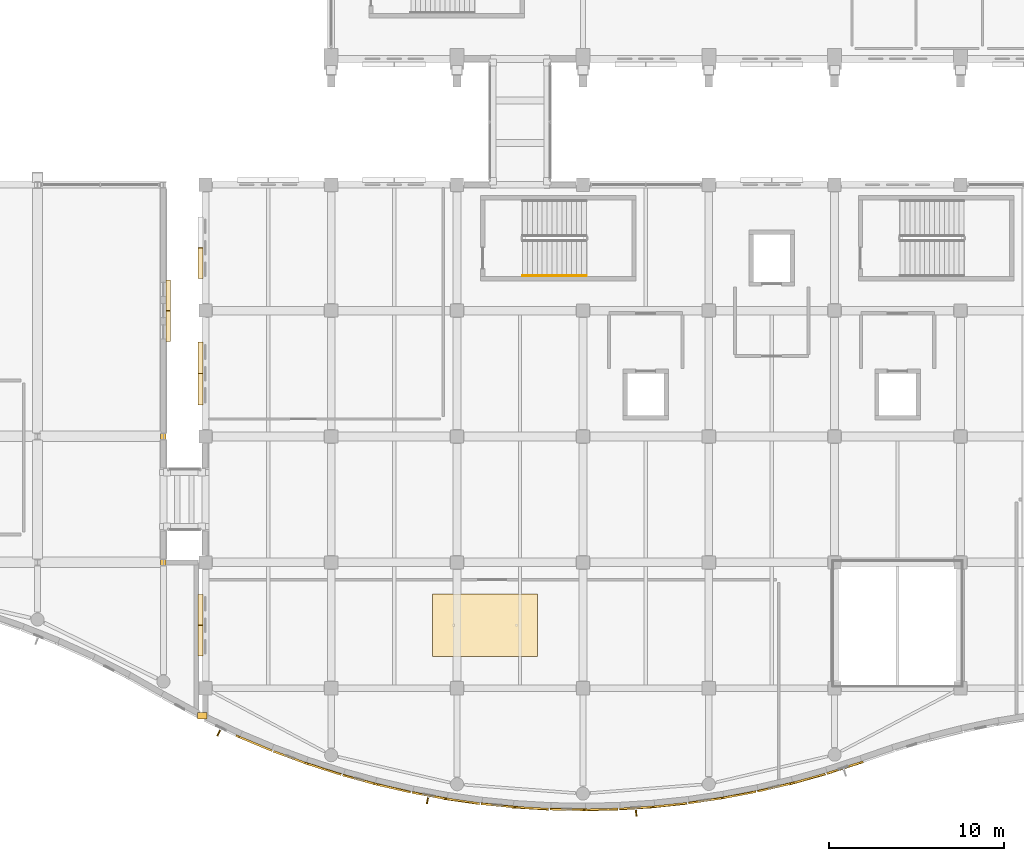
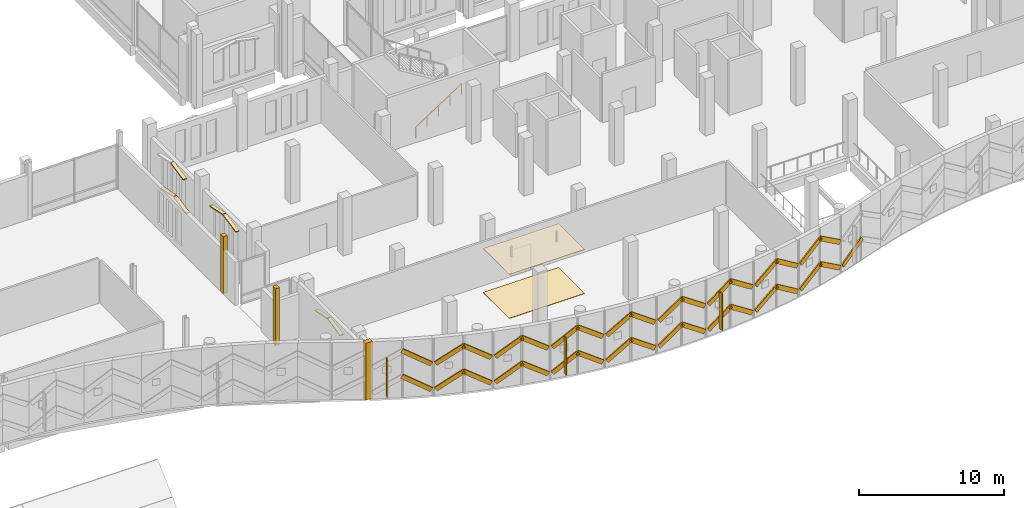
# One storey, part 180 of 193: 47 coverings, 3 shading devices, 1 railing.
"""IFC4 building model written with IfcOpenShell, lengths in metres."""

from ifc_helpers import new_model, si_unit, direction, frame, origin, origin_2d, place, context, subcontext, project, spatial, polyline, rectangle, circle, outline, extrude, material, layer, layer_set, type_object, element, save


model = new_model("IFC4")

# Units and contexts
model_context = context("Model", 3, precision=1e-05, world=origin(), true_north=direction((0.0, 1.0)))
body_context = subcontext(model_context, "Body", "Model", "MODEL_VIEW")
ifc_project = project(units=[si_unit("LENGTHUNIT", "METRE"), si_unit("AREAUNIT", "SQUARE_METRE"), si_unit("VOLUMEUNIT", "CUBIC_METRE"), si_unit("PLANEANGLEUNIT", "RADIAN"), si_unit("MASSUNIT", "GRAM", prefix="KILO")], contexts=[model_context])

# Site, building, storey
site_placement = place(None, origin())
site = spatial("IfcSite", under=ifc_project, at=site_placement, CompositionType="ELEMENT")
building_placement = place(site_placement, origin())
building = spatial("IfcBuilding", under=site, at=building_placement, Name="Cendralis Lancet Convention Centre", CompositionType="ELEMENT")
storey_placement = place(building_placement, frame((0.0, 0.0, 10.199951171875)))
storey = spatial("IfcBuildingStorey", under=building, at=storey_placement, Name="L02", CompositionType="ELEMENT", Elevation=10.199951171875)

# Coverings
ifc_material_1 = material(Name="Warm buff sandstone chevron cassette", Category="masonry")
ifc_layer_1 = layer(ifc_material_1, 0.06005859375, Name="Warm buff sandstone chevron cassette")
ifc_layer_set_1 = layer_set([ifc_layer_1], Name="Warm buff sandstone chevron cassette")
covering_type_1 = type_object("IfcCoveringType", Name="ARC-CV-CLAD1", PredefinedType="CLADDING", material=ifc_layer_set_1)
covering_1_placement = place(storey_placement, frame((133.903076171875, 4.3662109375, 2.0), z_axis=(0.492533000952, -0.207444705575, 0.845208812721), x_axis=(0.779104660725, -0.327679594694, -0.53443616163)))
element("IfcCovering", 1, at=covering_1_placement, inside=storey, type_object=covering_type_1, Name="L02 Diagonal Stone Chevron Relief CL-ST1 #0399", PredefinedType="CLADDING", context=body_context, shape_type="SweptSolid", body=[
    extrude(outline(polyline([(0.0, 0.0), (2.4326015426180643, -5.97395397039513e-17), (2.4326085260737225, 0.11018317912676806), (8.698335670653812e-05, 0.10995814651646971), (0.0, 0.0)])), origin(), (0.0, 0.0, -1.0), 0.360107421875),
])
covering_2_placement = place(storey_placement, frame((135.8837890625, 3.535400390625, 0.699951171875), z_axis=(-0.507780276256, 0.18726648486, 0.840886707407), x_axis=(0.788897872123, -0.291085223623, 0.541211178698)))
element("IfcCovering", 2, at=covering_2_placement, inside=storey, type_object=covering_type_1, Name="L02 Diagonal Stone Chevron Relief CL-ST1 #0405", PredefinedType="CLADDING", context=body_context, shape_type="SweptSolid", body=[
    extrude(outline(polyline([(0.0, 0.0), (2.402110080674847, -4.255493527005605e-17), (2.40209519260325, 0.11007060415303944), (-1.488807159711475e-05, 0.11007060415303944), (0.0, 0.0)])), origin(), (0.0, 0.0, -1.0), 0.360107421875),
])
covering_3_placement = place(storey_placement, frame((137.864990234375, 2.806396484375, 2.0), z_axis=(0.521034863951, -0.167605620572, 0.836917574496), x_axis=(0.7968902502, -0.25572848478, -0.547328851066)))
element("IfcCovering", 3, at=covering_3_placement, inside=storey, type_object=covering_type_1, Name="L02 Diagonal Stone Chevron Relief CL-ST1 #0411", PredefinedType="CLADDING", context=body_context, shape_type="SweptSolid", body=[
    extrude(outline(polyline([(0.0, 0.0), (2.375260915980276, 1.6333505728494124e-16), (2.375325206643625, 0.11002183942709215), (6.42906633486727e-05, 0.11002183942709198), (0.0, 0.0)])), origin(), (0.0, 0.0, -1.0), 0.360107421875),
])
covering_4_placement = place(storey_placement, frame((139.845458984375, 2.1728515625, 0.699951171875), z_axis=(-0.532755676601, 0.14607816939, 0.833566168626), x_axis=(0.80388726302, -0.220449146202, 0.552419625188)))
element("IfcCovering", 4, at=covering_4_placement, inside=storey, type_object=covering_type_1, Name="L02 Diagonal Stone Chevron Relief CL-ST1 #0417", PredefinedType="CLADDING", context=body_context, shape_type="SweptSolid", body=[
    extrude(outline(polyline([(0.0, 0.0), (2.3533719094111722, 2.0837010502455788e-17), (2.353368895458001, 0.10986789265701721), (-3.0139531707260026e-06, 0.10986789265701727), (0.0, 0.0)])), origin(), (0.0, 0.0, -1.0), 0.360107421875),
])
covering_5_placement = place(storey_placement, frame((141.82568359375, 1.6318359375, 2.0), z_axis=(0.542527889255, -0.124676488771, 0.830734170796), x_axis=(0.809746338666, -0.185553799789, -0.556669250454)))
element("IfcCovering", 5, at=covering_5_placement, inside=storey, type_object=covering_type_1, Name="L02 Diagonal Stone Chevron Relief CL-ST1 #0423", PredefinedType="CLADDING", context=body_context, shape_type="SweptSolid", body=[
    extrude(outline(polyline([(0.0, 0.0), (2.3354289288572163, -1.1069704181077e-16), (2.3354632814690657, 0.1102156286473947), (7.965383250090746e-05, 0.10997766659986817), (0.0, 0.0)])), origin(), (0.0, 0.0, -1.0), 0.360107421875),
])
covering_6_placement = place(storey_placement, frame((143.805908203125, 1.18017578125, 0.699951171875), z_axis=(-0.550577336212, 0.10191273492, 0.82853991534), x_axis=(0.814606038001, -0.151312519515, 0.559929928018)))
element("IfcCovering", 6, at=covering_6_placement, inside=storey, type_object=covering_type_1, Name="L02 Diagonal Stone Chevron Relief CL-ST1 #0429", PredefinedType="CLADDING", context=body_context, shape_type="SweptSolid", body=[
    extrude(outline(polyline([(0.0, 0.0), (2.321806288738312, -2.2985086056692694e-17), (2.321749220615972, 0.10999150106814967), (-5.7068122340086375e-05, 0.1099915010681497), (0.0, 0.0)])), origin(), (0.0, 0.0, -1.0), 0.360107421875),
])
covering_7_placement = place(storey_placement, frame((145.787109375, 0.81396484375, 2.0), z_axis=(0.557291093283, -0.079256404084, 0.826525897815), x_axis=(0.818231606827, -0.116799638593, -0.562898642753)))
element("IfcCovering", 7, at=covering_7_placement, inside=storey, type_object=covering_type_1, Name="L02 Diagonal Stone Chevron Relief CL-ST1 #0435", PredefinedType="CLADDING", context=body_context, shape_type="SweptSolid", body=[
    extrude(outline(polyline([(0.0, 0.0), (2.3096752299209027, 1.3010426069826053e-18), (2.3095138902674024, 0.11020927018501564), (6.693945915100565e-05, 0.11000203464667566), (0.0, 0.0)])), origin(), (0.0, 0.0, -1.0), 0.360107421875),
])
covering_8_placement = place(storey_placement, frame((147.767333984375, 0.533203125, 0.699951171875), z_axis=(-0.562099540829, 0.05633514329, 0.825148748912), x_axis=(0.8210105266, -0.082536011073, 0.564915499954)))
element("IfcCovering", 8, at=covering_8_placement, inside=storey, type_object=covering_type_1, Name="L02 Diagonal Stone Chevron Relief CL-ST1 #0441", PredefinedType="CLADDING", context=body_context, shape_type="SweptSolid", body=[
    extrude(outline(polyline([(0.0, 0.0), (2.301315556451815, 1.620882247865829e-17), (2.301287920886672, 0.11016830139976394), (-2.7635565143182064e-05, 0.11016830139976395), (0.0, 0.0)])), origin(), (0.0, 0.0, -1.0), 0.360107421875),
])
covering_9_placement = place(storey_placement, frame((149.747314453125, 0.336181640625, 2.0), z_axis=(0.565274224042, -0.032733028564, 0.824253359395), x_axis=(0.822801091345, -0.048912962267, -0.566220704499)))
element("IfcCovering", 9, at=covering_9_placement, inside=storey, type_object=covering_type_1, Name="L02 Diagonal Stone Chevron Relief CL-ST1 #0447", PredefinedType="CLADDING", context=body_context, shape_type="SweptSolid", body=[
    extrude(outline(polyline([(0.0, 0.0), (2.2960107565745815, 8.890457814381136e-18), (2.2958718181754803, 0.1098026840626082), (-0.00013893839910132395, 0.10980268406260817), (0.0, 0.0)])), origin(), (0.0, 0.0, -1.0), 0.360107421875),
])
covering_10_placement = place(storey_placement, frame((151.727294921875, 0.22021484375, 0.699951171875), z_axis=(-0.566597239301, 0.010050505353, 0.823933586983), x_axis=(0.823796970559, -0.015005215457, 0.56668632841)))
element("IfcCovering", 10, at=covering_10_placement, inside=storey, type_object=covering_type_1, Name="L02 Diagonal Stone Chevron Relief CL-ST1 #0453", PredefinedType="CLADDING", context=body_context, shape_type="SweptSolid", body=[
    extrude(outline(polyline([(0.0, 0.0), (2.294124214663174, -1.734723475976807e-18), (2.2940810075327023, 0.1101247346528868), (-4.3207130471803034e-05, 0.11012473465288682), (0.0, 0.0)])), origin(), (0.0, 0.0, -1.0), 0.360107421875),
])
covering_11_placement = place(storey_placement, frame((153.7080078125, 0.18603515625, 2.0), z_axis=(0.566669286218, 0.013222283345, 0.823839238735), x_axis=(0.823623824388, 0.018839668673, -0.56682348468)))
element("IfcCovering", 11, at=covering_11_placement, inside=storey, type_object=covering_type_1, Name="L02 Diagonal Stone Chevron Relief CL-ST1 #0459", PredefinedType="CLADDING", context=body_context, shape_type="SweptSolid", body=[
    extrude(outline(polyline([(0.0, 0.0), (2.293669636325795, -2.710505431213761e-19), (2.293527543756099, 0.10989598606756934), (5.898746555506665e-05, 0.10989036703460581), (0.0, 0.0)])), origin(), (0.0, 0.0, -1.0), 0.360107421875),
])
covering_12_placement = place(storey_placement, frame((155.687744140625, 0.233154296875, 0.699951171875), z_axis=(-0.565021610115, -0.035156900185, 0.824326738904), x_axis=(0.822645657543, 0.052624657597, 0.566113740814)))
element("IfcCovering", 12, at=covering_12_placement, inside=storey, type_object=covering_type_1, Name="L02 Diagonal Stone Chevron Relief CL-ST1 #0465", PredefinedType="CLADDING", context=body_context, shape_type="SweptSolid", body=[
    extrude(outline(polyline([(0.0, 0.0), (2.2964445735871357, 3.469446951953614e-18), (2.296602536845764, 0.11007563606961095), (0.0001579632586282678, 0.11007563606961095), (0.0, 0.0)])), origin(), (0.0, 0.0, -1.0), 0.360107421875),
])
covering_13_placement = place(storey_placement, frame((157.66748046875, 0.36181640625, 2.0), z_axis=(0.561545786047, 0.059538894726, 0.825300824056), x_axis=(0.820741180237, 0.086633783369, -0.564693281917)))
element("IfcCovering", 13, at=covering_13_placement, inside=storey, type_object=covering_type_1, Name="L02 Diagonal Stone Chevron Relief CL-ST1 #0471", PredefinedType="CLADDING", context=body_context, shape_type="SweptSolid", body=[
    extrude(outline(polyline([(0.0, 0.0), (2.302321353089751, 3.0899761915836876e-18), (2.302178862439796, 0.1100008851061633), (5.788561475185937e-05, 0.10997522100785523), (0.0, 0.0)])), origin(), (0.0, 0.0, -1.0), 0.360107421875),
])
covering_14_placement = place(storey_placement, frame((159.647216796875, 0.57275390625, 0.699951171875), z_axis=(-0.556536288522, -0.08254246077, 0.826712829057), x_axis=(0.817891405878, 0.120449063777, 0.562623916329)))
element("IfcCovering", 14, at=covering_14_placement, inside=storey, type_object=covering_type_1, Name="L02 Diagonal Stone Chevron Relief CL-ST1 #0477", PredefinedType="CLADDING", context=body_context, shape_type="SweptSolid", body=[
    extrude(outline(polyline([(0.0, 0.0), (2.3106888818513065, 7.37257477290143e-18), (2.310595864417957, 0.10983095630124241), (-9.301743334994353e-05, 0.10983095630124243), (0.0, 0.0)])), origin(), (0.0, 0.0, -1.0), 0.360107421875),
])
covering_15_placement = place(storey_placement, frame((161.626708984375, 0.8662109375, 2.0), z_axis=(0.549718528844, 0.104471394622, 0.828791449492), x_axis=(0.814169448592, 0.154994829204, -0.559557603737)))
element("IfcCovering", 15, at=covering_15_placement, inside=storey, type_object=covering_type_1, Name="L02 Diagonal Stone Chevron Relief CL-ST1 #0483", PredefinedType="CLADDING", context=body_context, shape_type="SweptSolid", body=[
    extrude(outline(polyline([(0.0, 0.0), (2.3233511964511706, 3.90583832637903e-17), (2.3233798782935717, 0.10984157397263787), (2.8681842401040436e-05, 0.10984157397263791), (0.0, 0.0)])), origin(), (0.0, 0.0, -1.0), 0.360107421875),
])
covering_16_placement = place(storey_placement, frame((163.607421875, 1.2451171875, 0.699951171875), z_axis=(-0.541506189498, -0.127195296507, 0.83101889466), x_axis=(0.809127679696, 0.189485875457, 0.556244101948)))
element("IfcCovering", 16, at=covering_16_placement, inside=storey, type_object=covering_type_1, Name="L02 Diagonal Stone Chevron Relief CL-ST1 #0489", PredefinedType="CLADDING", context=body_context, shape_type="SweptSolid", body=[
    extrude(outline(polyline([(0.0, 0.0), (2.3372144111030053, -1.100465205072787e-16), (2.3371301001755995, 0.10985049749226938), (-3.8049727343364426e-05, 0.11008819524961726), (0.0, 0.0)])), origin(), (0.0, 0.0, -1.0), 0.360107421875),
])
covering_17_placement = place(storey_placement, frame((165.5869140625, 1.71044921875, 2.0), z_axis=(0.531453986611, 0.148782625284, 0.833918695395), x_axis=(0.803160623506, 0.22439576897, -0.551887263594)))
element("IfcCovering", 17, at=covering_17_placement, inside=storey, type_object=covering_type_1, Name="L02 Diagonal Stone Chevron Relief CL-ST1 #0495", PredefinedType="CLADDING", context=body_context, shape_type="SweptSolid", body=[
    extrude(outline(polyline([(0.0, 0.0), (2.3555439917013454, 6.364266752489911e-17), (2.3555941206781124, 0.10999798795351641), (-0.00014595515983119658, 0.11006372014659496), (0.0, 0.0)])), origin(), (0.0, 0.0, -1.0), 0.360107421875),
])
covering_18_placement = place(storey_placement, frame((167.566162109375, 2.265380859375, 0.699951171875), z_axis=(-0.51986468046, -0.16924416085, 0.837315429231), x_axis=(0.796035143938, 0.259663721455, 0.546720039304)))
element("IfcCovering", 18, at=covering_18_placement, inside=storey, type_object=covering_type_1, Name="L02 Diagonal Stone Chevron Relief CL-ST1 #0501", PredefinedType="CLADDING", context=body_context, shape_type="SweptSolid", body=[
    extrude(outline(polyline([(0.0, 0.0), (2.377840388623247, 4.629543276513104e-17), (2.377959330951202, 0.10986456485642952), (-1.2007726361507043e-05, 0.11017235356771374), (0.0, 0.0)])), origin(), (0.0, 0.0, -1.0), 0.360107421875),
])
covering_19_placement = place(storey_placement, origin())
element("IfcCovering", 19, at=covering_19_placement, inside=storey, type_object=covering_type_1, Name="L02 Wave Ribbon 200mm Seismic-Joint Stone Cover Strip", PredefinedType="CLADDING", context=body_context, shape_type="SweptSolid", body=[
    extrude(outline(polyline([(131.5400390625, 5.431396484375), (132.080078125, 5.431396484375), (132.080078125, 5.8115234375), (131.5400390625, 5.8115234375), (131.5400390625, 5.431396484375)])), origin(), (0.0, 0.0, 1.0), 4.800048828125),
])
for number, where, z_axis, x_axis, name in (
    (20, (130.02001953125, 30.56005859375, 3.27001953125), (0.0, 0.182565675527, 0.983193660537), (-1.0, 0.0, 0.0), "L02 Gothic Pointed Lancet Hood-Mould #0279L"),
    (21, (130.02001953125, 28.7900390625, 3.594970703125), (0.0, -0.182565675527, 0.983193660537), (-1.0, 0.0, 0.0), "L02 Gothic Pointed Lancet Hood-Mould #0280R"),
):
    element("IfcCovering", number, at=place(storey_placement, frame(where, z_axis=z_axis, x_axis=x_axis)), inside=storey, type_object=covering_type_1, Name=name, PredefinedType="CLADDING", context=body_context, shape_type="SweptSolid", body=[
        extrude(outline(polyline([(0.0, 0.0), (0.284912109375, 0.0), (0.284912109375, 1.7799138361457094), (0.0, 1.7799138361457094), (0.0, 0.0)])), origin(), (0.0, 0.0, -1.0), 0.090087890625),
    ])
for number, where, z_axis, x_axis, name in (
    (22, (131.580078125, 9.0400390625, 3.27001953125), (0.0, -0.209529088731, 0.977802414077), (1.0, 0.0, 0.0), "L02 Gothic Pointed Lancet Hood-Mould #0369L"),
    (23, (131.580078125, 10.81005859375, 3.64501953125), (0.0, 0.209529088731, 0.977802414077), (1.0, 0.0, 0.0), "L02 Gothic Pointed Lancet Hood-Mould #0370R"),
):
    element("IfcCovering", number, at=place(storey_placement, frame(where, z_axis=z_axis, x_axis=x_axis)), inside=storey, type_object=covering_type_1, Name=name, PredefinedType="CLADDING", context=body_context, shape_type="SweptSolid", body=[
        extrude(outline(polyline([(0.0, 0.0), (0.284912109375, 0.0), (0.284912109375, 1.789727632909544), (0.0, 1.789727632909544), (0.0, 0.0)])), origin(), (0.0, 0.0, -1.0), 0.090087890625),
    ])
for number, where, z_axis, x_axis, name in (
    (24, (131.580078125, 23.39990234375, 3.27001953125), (0.0, -0.205041599325, 0.978753259277), (1.0, 0.0, 0.0), "L02 Gothic Pointed Lancet Hood-Mould #0371L"),
    (25, (131.580078125, 25.2099609375, 3.64501953125), (0.0, 0.205041599325, 0.978753259277), (1.0, 0.0, 0.0), "L02 Gothic Pointed Lancet Hood-Mould #0372R"),
):
    element("IfcCovering", number, at=place(storey_placement, frame(where, z_axis=z_axis, x_axis=x_axis)), inside=storey, type_object=covering_type_1, Name=name, PredefinedType="CLADDING", context=body_context, shape_type="SweptSolid", body=[
        extrude(outline(polyline([(0.0, 0.0), (0.284912109375, 0.0), (0.284912109375, 1.8288971664027145), (0.0, 1.8288971664027145), (0.0, 0.0)])), origin(), (0.0, 0.0, -1.0), 0.090087890625),
    ])
covering_20_placement = place(storey_placement, frame((131.580078125, 30.639892578125, 3.27001953125), z_axis=(0.0, -0.209529088731, 0.977802414077), x_axis=(1.0, 0.0, 0.0)))
element("IfcCovering", 26, at=covering_20_placement, inside=storey, type_object=covering_type_1, Name="L02 Gothic Pointed Lancet Hood-Mould #0373L", PredefinedType="CLADDING", context=body_context, shape_type="SweptSolid", body=[
    extrude(outline(polyline([(0.0, 0.0), (0.284912109375, 0.0), (0.284912109375, 1.789727632909544), (0.0, 1.789727632909544), (0.0, 0.0)])), origin(), (0.0, 0.0, -1.0), 0.090087890625),
])
covering_21_placement = place(storey_placement, origin())
element("IfcCovering", 27, at=covering_21_placement, inside=storey, type_object=covering_type_1, Name="Exterior Column Stone Fire-Casing L02 #030", PredefinedType="CLADDING", context=body_context, shape_type="SweptSolid", body=[
    extrude(outline(polyline([(129.43798828125, 14.2080078125), (129.761962890625, 14.2080078125), (129.761962890625, 14.592041015625), (129.43798828125, 14.592041015625), (129.43798828125, 14.2080078125)])), origin(), (0.0, 0.0, 1.0), 4.800048828125),
])
covering_22_placement = place(storey_placement, origin())
element("IfcCovering", 28, at=covering_22_placement, inside=storey, type_object=covering_type_1, Name="Exterior Column Stone Fire-Casing L02 #031", PredefinedType="CLADDING", context=body_context, shape_type="SweptSolid", body=[
    extrude(outline(polyline([(129.43798828125, 21.407958984375), (129.761962890625, 21.407958984375), (129.761962890625, 21.7919921875), (129.43798828125, 21.7919921875), (129.43798828125, 21.407958984375)])), origin(), (0.0, 0.0, 1.0), 4.800048828125),
])
ifc_material_2 = material(Name="Dark Andean slate chevron cassette", Category="masonry")
ifc_layer_2 = layer(ifc_material_2, 0.06005859375, Name="Dark Andean slate chevron cassette")
ifc_layer_set_2 = layer_set([ifc_layer_2], Name="Dark Andean slate chevron cassette")
covering_type_2 = type_object("IfcCoveringType", Name="ARC-CV-CLAD2", PredefinedType="CLADDING", material=ifc_layer_set_2)
covering_23_placement = place(storey_placement, frame((133.903076171875, 4.3662109375, 4.150146484375), z_axis=(0.492533000952, -0.207444705575, 0.845208812721), x_axis=(0.779104660725, -0.327679594694, -0.53443616163)))
element("IfcCovering", 29, at=covering_23_placement, inside=storey, type_object=covering_type_2, Name="L02 Diagonal Stone Chevron Relief CL-ST2 #0400", PredefinedType="CLADDING", context=body_context, shape_type="SweptSolid", body=[
    extrude(outline(polyline([(0.0, 0.0), (2.4326015426180643, -5.97395397039513e-17), (2.4326085260737225, 0.11018317912676806), (8.698335670653812e-05, 0.10995814651646971), (0.0, 0.0)])), origin(), (0.0, 0.0, -1.0), 0.360107421875),
])
covering_24_placement = place(storey_placement, frame((135.8837890625, 3.535400390625, 2.85009765625), z_axis=(-0.507780276256, 0.18726648486, 0.840886707407), x_axis=(0.788897872123, -0.291085223623, 0.541211178698)))
element("IfcCovering", 30, at=covering_24_placement, inside=storey, type_object=covering_type_2, Name="L02 Diagonal Stone Chevron Relief CL-ST2 #0406", PredefinedType="CLADDING", context=body_context, shape_type="SweptSolid", body=[
    extrude(outline(polyline([(0.0, 0.0), (2.402110080674847, -4.255493527005605e-17), (2.40209519260325, 0.11007060415303944), (-1.488807159711475e-05, 0.11007060415303944), (0.0, 0.0)])), origin(), (0.0, 0.0, -1.0), 0.360107421875),
])
covering_25_placement = place(storey_placement, frame((137.864990234375, 2.806396484375, 4.150146484375), z_axis=(0.521034863951, -0.167605620572, 0.836917574496), x_axis=(0.7968902502, -0.25572848478, -0.547328851066)))
element("IfcCovering", 31, at=covering_25_placement, inside=storey, type_object=covering_type_2, Name="L02 Diagonal Stone Chevron Relief CL-ST2 #0412", PredefinedType="CLADDING", context=body_context, shape_type="SweptSolid", body=[
    extrude(outline(polyline([(0.0, 0.0), (2.375260915980276, 1.6333505728494124e-16), (2.375325206643625, 0.11002183942709215), (6.42906633486727e-05, 0.11002183942709198), (0.0, 0.0)])), origin(), (0.0, 0.0, -1.0), 0.360107421875),
])
covering_26_placement = place(storey_placement, frame((139.845458984375, 2.1728515625, 2.85009765625), z_axis=(-0.532755676601, 0.14607816939, 0.833566168626), x_axis=(0.80388726302, -0.220449146202, 0.552419625188)))
element("IfcCovering", 32, at=covering_26_placement, inside=storey, type_object=covering_type_2, Name="L02 Diagonal Stone Chevron Relief CL-ST2 #0418", PredefinedType="CLADDING", context=body_context, shape_type="SweptSolid", body=[
    extrude(outline(polyline([(0.0, 0.0), (2.3533719094111722, 2.0837010502455788e-17), (2.353368895458001, 0.10986789265701721), (-3.0139531707260026e-06, 0.10986789265701727), (0.0, 0.0)])), origin(), (0.0, 0.0, -1.0), 0.360107421875),
])
covering_27_placement = place(storey_placement, frame((141.82568359375, 1.6318359375, 4.150146484375), z_axis=(0.542527889255, -0.124676488771, 0.830734170796), x_axis=(0.809746338666, -0.185553799789, -0.556669250454)))
element("IfcCovering", 33, at=covering_27_placement, inside=storey, type_object=covering_type_2, Name="L02 Diagonal Stone Chevron Relief CL-ST2 #0424", PredefinedType="CLADDING", context=body_context, shape_type="SweptSolid", body=[
    extrude(outline(polyline([(0.0, 0.0), (2.3354289288572163, -1.1069704181077e-16), (2.3354632814690657, 0.1102156286473947), (7.965383250090746e-05, 0.10997766659986817), (0.0, 0.0)])), origin(), (0.0, 0.0, -1.0), 0.360107421875),
])
covering_28_placement = place(storey_placement, frame((143.805908203125, 1.18017578125, 2.85009765625), z_axis=(-0.550577336212, 0.10191273492, 0.82853991534), x_axis=(0.814606038001, -0.151312519515, 0.559929928018)))
element("IfcCovering", 34, at=covering_28_placement, inside=storey, type_object=covering_type_2, Name="L02 Diagonal Stone Chevron Relief CL-ST2 #0430", PredefinedType="CLADDING", context=body_context, shape_type="SweptSolid", body=[
    extrude(outline(polyline([(0.0, 0.0), (2.321806288738312, -2.2985086056692694e-17), (2.321749220615972, 0.10999150106814967), (-5.7068122340086375e-05, 0.1099915010681497), (0.0, 0.0)])), origin(), (0.0, 0.0, -1.0), 0.360107421875),
])
covering_29_placement = place(storey_placement, frame((145.787109375, 0.81396484375, 4.150146484375), z_axis=(0.557291093283, -0.079256404084, 0.826525897815), x_axis=(0.818231606827, -0.116799638593, -0.562898642753)))
element("IfcCovering", 35, at=covering_29_placement, inside=storey, type_object=covering_type_2, Name="L02 Diagonal Stone Chevron Relief CL-ST2 #0436", PredefinedType="CLADDING", context=body_context, shape_type="SweptSolid", body=[
    extrude(outline(polyline([(0.0, 0.0), (2.3096752299209027, 1.3010426069826053e-18), (2.3095138902674024, 0.11020927018501564), (6.693945915100565e-05, 0.11000203464667566), (0.0, 0.0)])), origin(), (0.0, 0.0, -1.0), 0.360107421875),
])
covering_30_placement = place(storey_placement, frame((147.767333984375, 0.533203125, 2.85009765625), z_axis=(-0.562099540829, 0.05633514329, 0.825148748912), x_axis=(0.8210105266, -0.082536011073, 0.564915499954)))
element("IfcCovering", 36, at=covering_30_placement, inside=storey, type_object=covering_type_2, Name="L02 Diagonal Stone Chevron Relief CL-ST2 #0442", PredefinedType="CLADDING", context=body_context, shape_type="SweptSolid", body=[
    extrude(outline(polyline([(0.0, 0.0), (2.301315556451815, 1.620882247865829e-17), (2.301287920886672, 0.11016830139976394), (-2.7635565143182064e-05, 0.11016830139976395), (0.0, 0.0)])), origin(), (0.0, 0.0, -1.0), 0.360107421875),
])
covering_31_placement = place(storey_placement, frame((149.747314453125, 0.336181640625, 4.150146484375), z_axis=(0.565274224042, -0.032733028564, 0.824253359395), x_axis=(0.822801091345, -0.048912962267, -0.566220704499)))
element("IfcCovering", 37, at=covering_31_placement, inside=storey, type_object=covering_type_2, Name="L02 Diagonal Stone Chevron Relief CL-ST2 #0448", PredefinedType="CLADDING", context=body_context, shape_type="SweptSolid", body=[
    extrude(outline(polyline([(0.0, 0.0), (2.2960107565745815, 8.890457814381136e-18), (2.2958718181754803, 0.1098026840626082), (-0.00013893839910132395, 0.10980268406260817), (0.0, 0.0)])), origin(), (0.0, 0.0, -1.0), 0.360107421875),
])
covering_32_placement = place(storey_placement, frame((151.727294921875, 0.22021484375, 2.85009765625), z_axis=(-0.566597239301, 0.010050505353, 0.823933586983), x_axis=(0.823796970559, -0.015005215457, 0.56668632841)))
element("IfcCovering", 38, at=covering_32_placement, inside=storey, type_object=covering_type_2, Name="L02 Diagonal Stone Chevron Relief CL-ST2 #0454", PredefinedType="CLADDING", context=body_context, shape_type="SweptSolid", body=[
    extrude(outline(polyline([(0.0, 0.0), (2.294124214663174, -1.734723475976807e-18), (2.2940810075327023, 0.1101247346528868), (-4.3207130471803034e-05, 0.11012473465288682), (0.0, 0.0)])), origin(), (0.0, 0.0, -1.0), 0.360107421875),
])
covering_33_placement = place(storey_placement, frame((153.7080078125, 0.18603515625, 4.150146484375), z_axis=(0.566669286218, 0.013222283345, 0.823839238735), x_axis=(0.823623824388, 0.018839668673, -0.56682348468)))
element("IfcCovering", 39, at=covering_33_placement, inside=storey, type_object=covering_type_2, Name="L02 Diagonal Stone Chevron Relief CL-ST2 #0460", PredefinedType="CLADDING", context=body_context, shape_type="SweptSolid", body=[
    extrude(outline(polyline([(0.0, 0.0), (2.293669636325795, -2.710505431213761e-19), (2.293527543756099, 0.10989598606756934), (5.898746555506665e-05, 0.10989036703460581), (0.0, 0.0)])), origin(), (0.0, 0.0, -1.0), 0.360107421875),
])
covering_34_placement = place(storey_placement, frame((155.687744140625, 0.233154296875, 2.85009765625), z_axis=(-0.565021610115, -0.035156900185, 0.824326738904), x_axis=(0.822645657543, 0.052624657597, 0.566113740814)))
element("IfcCovering", 40, at=covering_34_placement, inside=storey, type_object=covering_type_2, Name="L02 Diagonal Stone Chevron Relief CL-ST2 #0466", PredefinedType="CLADDING", context=body_context, shape_type="SweptSolid", body=[
    extrude(outline(polyline([(0.0, 0.0), (2.2964445735871357, 3.469446951953614e-18), (2.296602536845764, 0.11007563606961095), (0.0001579632586282678, 0.11007563606961095), (0.0, 0.0)])), origin(), (0.0, 0.0, -1.0), 0.360107421875),
])
covering_35_placement = place(storey_placement, frame((157.66748046875, 0.36181640625, 4.150146484375), z_axis=(0.561545786047, 0.059538894726, 0.825300824056), x_axis=(0.820741180237, 0.086633783369, -0.564693281917)))
element("IfcCovering", 41, at=covering_35_placement, inside=storey, type_object=covering_type_2, Name="L02 Diagonal Stone Chevron Relief CL-ST2 #0472", PredefinedType="CLADDING", context=body_context, shape_type="SweptSolid", body=[
    extrude(outline(polyline([(0.0, 0.0), (2.302321353089751, 3.0899761915836876e-18), (2.302178862439796, 0.1100008851061633), (5.788561475185937e-05, 0.10997522100785523), (0.0, 0.0)])), origin(), (0.0, 0.0, -1.0), 0.360107421875),
])
covering_36_placement = place(storey_placement, frame((159.647216796875, 0.57275390625, 2.85009765625), z_axis=(-0.556536288522, -0.08254246077, 0.826712829057), x_axis=(0.817891405878, 0.120449063777, 0.562623916329)))
element("IfcCovering", 42, at=covering_36_placement, inside=storey, type_object=covering_type_2, Name="L02 Diagonal Stone Chevron Relief CL-ST2 #0478", PredefinedType="CLADDING", context=body_context, shape_type="SweptSolid", body=[
    extrude(outline(polyline([(0.0, 0.0), (2.3106888818513065, 7.37257477290143e-18), (2.310595864417957, 0.10983095630124241), (-9.301743334994353e-05, 0.10983095630124243), (0.0, 0.0)])), origin(), (0.0, 0.0, -1.0), 0.360107421875),
])
covering_37_placement = place(storey_placement, frame((161.626708984375, 0.8662109375, 4.150146484375), z_axis=(0.549718528844, 0.104471394622, 0.828791449492), x_axis=(0.814169448592, 0.154994829204, -0.559557603737)))
element("IfcCovering", 43, at=covering_37_placement, inside=storey, type_object=covering_type_2, Name="L02 Diagonal Stone Chevron Relief CL-ST2 #0484", PredefinedType="CLADDING", context=body_context, shape_type="SweptSolid", body=[
    extrude(outline(polyline([(0.0, 0.0), (2.3233511964511706, 3.90583832637903e-17), (2.3233798782935717, 0.10984157397263787), (2.8681842401040436e-05, 0.10984157397263791), (0.0, 0.0)])), origin(), (0.0, 0.0, -1.0), 0.360107421875),
])
covering_38_placement = place(storey_placement, frame((163.607421875, 1.2451171875, 2.85009765625), z_axis=(-0.541506189498, -0.127195296507, 0.83101889466), x_axis=(0.809127679696, 0.189485875457, 0.556244101948)))
element("IfcCovering", 44, at=covering_38_placement, inside=storey, type_object=covering_type_2, Name="L02 Diagonal Stone Chevron Relief CL-ST2 #0490", PredefinedType="CLADDING", context=body_context, shape_type="SweptSolid", body=[
    extrude(outline(polyline([(0.0, 0.0), (2.3372144111030053, -1.100465205072787e-16), (2.3371301001755995, 0.10985049749226938), (-3.8049727343364426e-05, 0.11008819524961726), (0.0, 0.0)])), origin(), (0.0, 0.0, -1.0), 0.360107421875),
])
covering_39_placement = place(storey_placement, frame((165.5869140625, 1.71044921875, 4.150146484375), z_axis=(0.531453986611, 0.148782625284, 0.833918695395), x_axis=(0.803160623506, 0.22439576897, -0.551887263594)))
element("IfcCovering", 45, at=covering_39_placement, inside=storey, type_object=covering_type_2, Name="L02 Diagonal Stone Chevron Relief CL-ST2 #0496", PredefinedType="CLADDING", context=body_context, shape_type="SweptSolid", body=[
    extrude(outline(polyline([(0.0, 0.0), (2.3555439917013454, 6.364266752489911e-17), (2.3555941206781124, 0.10999798795351641), (-0.00014595515983119658, 0.11006372014659496), (0.0, 0.0)])), origin(), (0.0, 0.0, -1.0), 0.360107421875),
])
ifc_material_3 = material(Name="Perforated acoustic mineral-wood ceiling", Category="wood")
ifc_layer_3 = layer(ifc_material_3, 0.030029296875, Name="Perforated acoustic mineral-wood ceiling")
ifc_layer_set_3 = layer_set([ifc_layer_3], Name="Perforated acoustic mineral-wood ceiling")
covering_type_3 = type_object("IfcCoveringType", Name="ARC-CV-CLG1", PredefinedType="CEILING", material=ifc_layer_set_3)
covering_40_placement = place(storey_placement, frame((0.0, 0.0, 3.68994140625)))
element("IfcCovering", 46, at=covering_40_placement, inside=storey, type_object=covering_type_3, Name="L02 Acoustic Suspended Ceiling CL-ACS #11", PredefinedType="CEILING", context=body_context, shape_type="SweptSolid", body=[
    extrude(outline(polyline([(145.0, 9.0), (151.0, 9.0), (151.0, 12.60009765625), (145.0, 12.60009765625), (145.0, 9.0)])), origin(), (0.0, 0.0, 1.0), 0.030029296875),
])
ifc_material_4 = material(Name="Polished Andean granite terrazzo flooring", Category="masonry")
ifc_layer_4 = layer(ifc_material_4, 0.030029296875, Name="Polished Andean granite terrazzo flooring")
ifc_layer_set_4 = layer_set([ifc_layer_4], Name="Polished Andean granite terrazzo flooring")
covering_type_4 = type_object("IfcCoveringType", Name="ARC-CV-FLR1", PredefinedType="FLOORING", material=ifc_layer_set_4)
covering_41_placement = place(storey_placement, origin())
element("IfcCovering", 47, at=covering_41_placement, inside=storey, type_object=covering_type_4, Name="L02 Terrazzo Concourse Flooring FL-TRZ #11", PredefinedType="FLOORING", context=body_context, shape_type="SweptSolid", body=[
    extrude(outline(polyline([(145.0, 9.0), (151.0, 9.0), (151.0, 12.60009765625), (145.0, 12.60009765625), (145.0, 9.0)])), origin(), (0.0, 0.0, 1.0), 0.030029296875),
])

# Railing
ifc_material_5 = material(Name="Steel S355", Category="steel")
railing_type = type_object("IfcRailingType", Name="ARC-RL-CHR", PredefinedType="HANDRAIL", material=ifc_material_5)
railing_placement = place(storey_placement, frame((150.14990234375, 30.800048828125, 0.17138671875)))
element("IfcRailing", 48, at=railing_placement, inside=storey, type_object=railing_type, Name="L02 ST-13 stair handrail 1", PredefinedType="HANDRAIL", context=body_context, shape_type="SweptSolid", body=[
    extrude(circle(Radius=0.02392578125, at=origin_2d()), frame((0.0, 0.0, 0.8759765625), z_axis=(0.834856447115, 0.0, 0.55046772177), x_axis=(0.0, 1.0, 0.0)), (0.0, 0.0, 1.0), 4.360107421875),
    extrude(circle(Radius=0.02099609375, at=origin_2d()), origin(), (0.0, 0.0, 1.0), 0.851806640625),
    extrude(circle(Radius=0.02099609375, at=origin_2d()), frame((0.91015625, 0.0, 0.60009765625)), (0.0, 0.0, 1.0), 0.851806640625),
    extrude(circle(Radius=0.02099609375, at=origin_2d()), frame((1.820068359375, 0.0, 1.2001953125)), (0.0, 0.0, 1.0), 0.851806640625),
    extrude(circle(Radius=0.02099609375, at=origin_2d()), frame((2.72998046875, 0.0, 1.800048828125)), (0.0, 0.0, 1.0), 0.851806640625),
    extrude(circle(Radius=0.02099609375, at=origin_2d()), frame((3.64013671875, 0.0, 2.400146484375)), (0.0, 0.0, 1.0), 0.851806640625),
])

# Shading devices
ifc_material_6 = material(Name="Anodised bronze architectural aluminium", Category="aluminium")
shading_device_type = type_object("IfcShadingDeviceType", Name="ARC-SH-FIN1", PredefinedType="USERDEFINED", material=ifc_material_6)
for number, where, z_axis, x_axis, name in (
    (49, (132.76171875, 4.623291015625, 0.449951171875), (0.0, 0.0, 1.0), (0.903507405674, -0.428572476825, 0.0), "Anodised Bronze Lancet Solar Fin SF-01 #024"),
    (50, (144.705078125, 0.753662109375, 0.449951171875), (0.0, 0.0, 1.0), (0.983175298719, -0.182664534019, 0.0), "Anodised Bronze Lancet Solar Fin SF-01 #026"),
    (51, (156.648681640625, 0.0390625, 0.449951171875), (0.0, 0.0, 1.0), (0.997959312839, 0.063853033741, 0.0), "Anodised Bronze Lancet Solar Fin SF-01 #028"),
):
    element("IfcShadingDevice", number, at=place(storey_placement, frame(where, z_axis=z_axis, x_axis=x_axis)), inside=storey, type_object=shading_device_type, Name=name, ObjectType="FIN", PredefinedType="USERDEFINED", context=body_context, shape_type="SweptSolid", body=[
        extrude(rectangle(XDim=0.080078125, YDim=0.340087890625, at=origin_2d()), origin(), (0.0, 0.0, 1.0), 3.10009765625),
    ])

save(model, "model.ifc")
